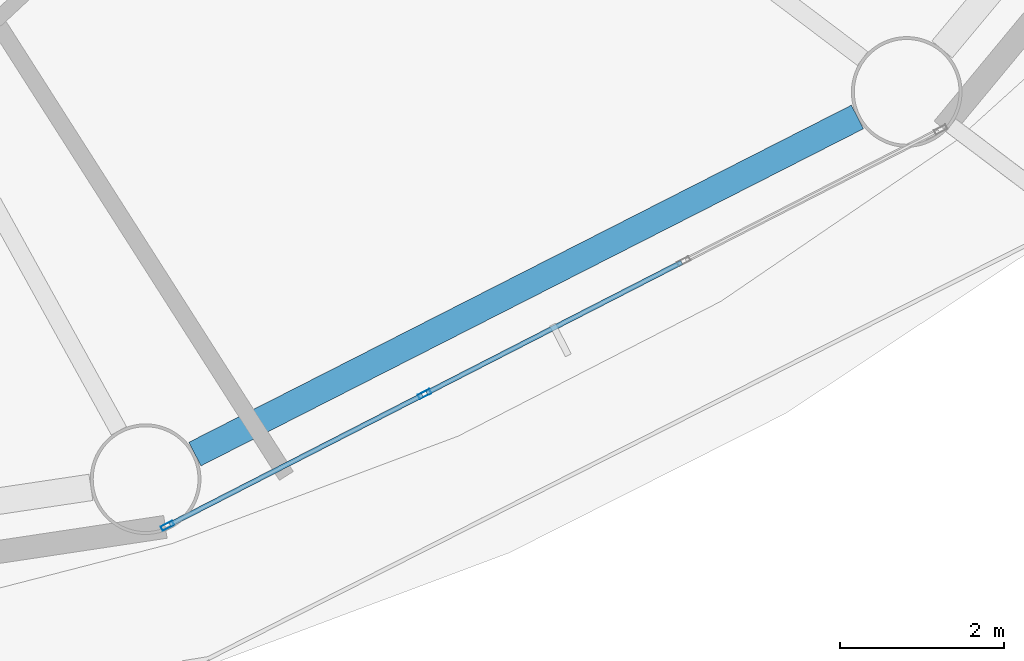
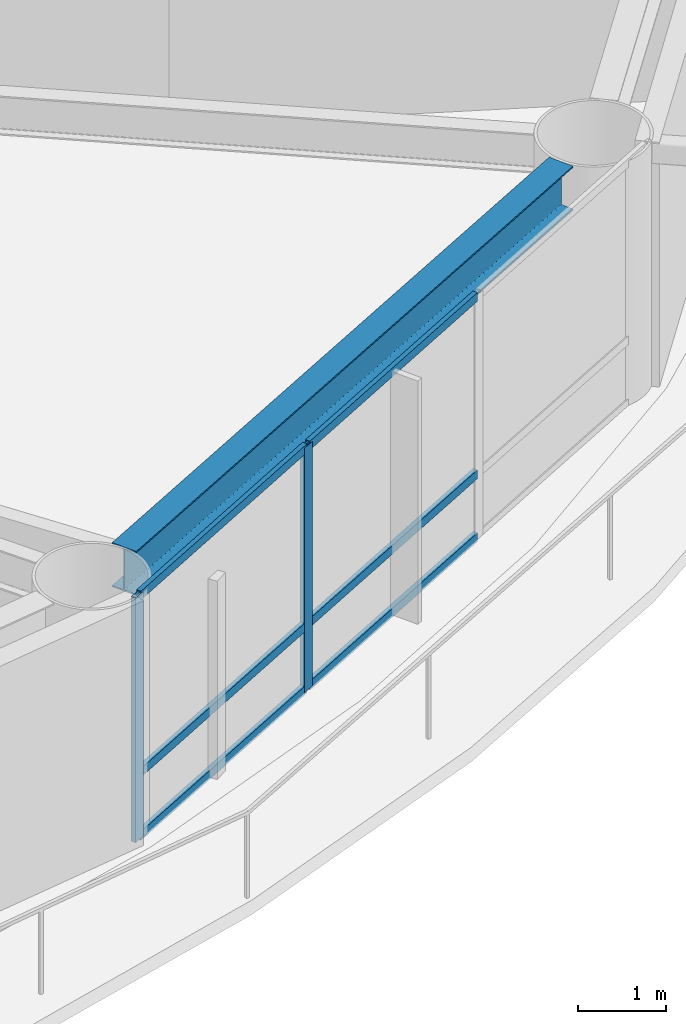
# One storey, part 4 of 24: 8 members, 1 beam, 1 element without a shape of its own.
"""IFC4 building model written with IfcOpenShell, lengths in metres."""

from ifc_helpers import new_model, si_unit, direction, frame, origin, origin_2d, place, context, subcontext, project, spatial, hollow_rectangle, i_section, extrude, material, layer, layer_set, material_profile, profile_set, type_object, element, aggregate, save


model = new_model("IFC4")

# Units and contexts
model_context = context("Model", 3, precision=1e-05, world=origin(), true_north=direction((0.0, 1.0)))
body_context = subcontext(model_context, "Body", "Model", "MODEL_VIEW")
ifc_project = project(units=[si_unit("LENGTHUNIT", "METRE"), si_unit("AREAUNIT", "SQUARE_METRE"), si_unit("VOLUMEUNIT", "CUBIC_METRE"), si_unit("PLANEANGLEUNIT", "RADIAN"), si_unit("MASSUNIT", "GRAM", prefix="KILO")], contexts=[model_context])

# Site, building, storey
site_placement = place(None, origin())
site = spatial("IfcSite", under=ifc_project, at=site_placement, CompositionType="ELEMENT")
building_placement = place(site_placement, origin())
building = spatial("IfcBuilding", under=site, at=building_placement, Name="Sarneth Arch Tower", CompositionType="ELEMENT")
storey_placement = place(building_placement, frame((0.0, 0.0, 120.0)))
storey = spatial("IfcBuildingStorey", under=building, at=storey_placement, Name="L30", CompositionType="ELEMENT", Elevation=120.0)

# Beam
ifc_material_1 = material(Name="Steel S355", Category="steel")
ifc_material_profile_1 = material_profile(ifc_material_1, i_section(OverallWidth=0.323974609375, OverallDepth=0.611083984375, WebThickness=0.0126953125, FlangeThickness=0.01904296875, FilletRadius=0.01904296875, at=origin_2d()), Name="W610x155")
ifc_profile_set_1 = profile_set([ifc_material_profile_1], Name="Steel S355")
beam_type = type_object("IfcBeamType", Name="BM-SPAN-610B", PredefinedType="SPANDREL", material=ifc_profile_set_1)
beam_placement = place(storey_placement, frame((59.7119140625, 22.16552734375, 3.074462890625), z_axis=(0.891255891792, 0.453500755619, 0.0), x_axis=(-0.453500755619, 0.891255891792, 0.0)))
element("IfcBeam", 1, at=beam_placement, inside=storey, type_object=beam_type, Name="L30 Perimeter spandrel beam 14", PredefinedType="SPANDREL", context=body_context, shape_type="SweptSolid", body=[
    extrude(i_section(OverallWidth=0.323974609375, OverallDepth=0.611083984375, WebThickness=0.0126953125, FlangeThickness=0.01904296875, FilletRadius=0.01904296875, at=origin_2d()), origin(), (0.0, 0.0, 1.0), 9.070556640625),
])

# Curtain wall, members
ifc_material_2 = material(Name="Anodised aluminium Type AA25 and solar-control low-e laminated IGU", Category="aluminium")
ifc_layer = layer(ifc_material_2, 0.159912109375)
ifc_layer_set = layer_set([ifc_layer], Name="Anodised aluminium Type AA25 and solar-control low-e laminated IGU")
curtain_wall_type = type_object("IfcCurtainWallType", Name="CW-HOTEL-MID", PredefinedType="NOTDEFINED", material=ifc_layer_set)
curtain_wall_placement = place(storey_placement, origin())
curtain_wall = element("IfcCurtainWall", 2, at=curtain_wall_placement, inside=storey, type_object=curtain_wall_type, Name="L30 Unitised curtain wall facet 14", PredefinedType="NOTDEFINED")
ifc_material_3 = material(Name="Anodised Aluminium 6063-T6", Category="aluminium")
ifc_material_profile_2 = material_profile(ifc_material_3, hollow_rectangle(XDim=0.06005859375, YDim=0.159912109375, WallThickness=0.00390625, at=origin_2d()), Name="AL-MULL-160x60x4")
ifc_profile_set_2 = profile_set([ifc_material_profile_2], Name="Anodised Aluminium 6063-T6")
member_type_1 = type_object("IfcMemberType", Name="CW-MULLION", PredefinedType="MULLION", material=ifc_profile_set_2)
member_1_placement = place(storey_placement, frame((59.3779296875, 21.291015625, 0.0), z_axis=(0.0, 0.0, 1.0), x_axis=(-0.456031365356, 0.889963703649, 0.0)))
member_1 = element("IfcMember", 3, at=member_1_placement, type_object=member_type_1, Name="CW-SYS-4 mullion 1", PredefinedType="MULLION", context=body_context, shape_type="SweptSolid", body=[
    extrude(hollow_rectangle(XDim=0.06005859375, YDim=0.159912109375, WallThickness=0.00390625, at=origin_2d()), origin(), (0.0, 0.0, 1.0), 3.3798828125),
])
member_2_placement = place(storey_placement, frame((62.51416015625, 22.898193359375, 0.0), z_axis=(0.0, 0.0, 1.0), x_axis=(-0.456031365356, 0.889963703649, 0.0)))
member_2 = element("IfcMember", 4, at=member_2_placement, type_object=member_type_1, Name="CW-SYS-4 mullion 2", PredefinedType="MULLION", context=body_context, shape_type="SweptSolid", body=[
    extrude(hollow_rectangle(XDim=0.06005859375, YDim=0.159912109375, WallThickness=0.00390625, at=origin_2d()), origin(), (0.0, 0.0, 1.0), 3.3798828125),
])
ifc_material_4 = material(Name="Anodised Aluminium 6063-T6", Category="aluminium")
ifc_material_profile_3 = material_profile(ifc_material_4, hollow_rectangle(XDim=0.06005859375, YDim=0.1201171875, WallThickness=0.00390625, at=origin_2d()), Name="AL-TRAN-120x60x4")
ifc_profile_set_3 = profile_set([ifc_material_profile_3], Name="Anodised Aluminium 6063-T6")
member_type_2 = type_object("IfcMemberType", Name="CW-TRANSOM", PredefinedType="USERDEFINED", material=ifc_profile_set_3)
member_3_placement = place(storey_placement, frame((59.404541015625, 21.3046875, 0.030029296875), z_axis=(0.889957563627, 0.456043347658, 0.0), x_axis=(-0.456043347658, 0.889957563627, 0.0)))
member_3 = element("IfcMember", 5, at=member_3_placement, type_object=member_type_2, Name="CW-SYS-4 transom 1.1", ObjectType="TRANSOM", PredefinedType="USERDEFINED", context=body_context, shape_type="SweptSolid", body=[
    extrude(hollow_rectangle(XDim=0.06005859375, YDim=0.1201171875, WallThickness=0.00390625, at=origin_2d()), origin(), (0.0, 0.0, 1.0), 3.464111328125),
])
member_4_placement = place(storey_placement, frame((59.404541015625, 21.3046875, 0.89990234375), z_axis=(0.889957563627, 0.456043347658, 0.0), x_axis=(-0.456043347658, 0.889957563627, 0.0)))
member_4 = element("IfcMember", 6, at=member_4_placement, type_object=member_type_2, Name="CW-SYS-4 transom 1.2", ObjectType="TRANSOM", PredefinedType="USERDEFINED", context=body_context, shape_type="SweptSolid", body=[
    extrude(hollow_rectangle(XDim=0.06005859375, YDim=0.1201171875, WallThickness=0.00390625, at=origin_2d()), origin(), (0.0, 0.0, 1.0), 3.464111328125),
])
member_5_placement = place(storey_placement, frame((59.404541015625, 21.3046875, 3.35009765625), z_axis=(0.889957563627, 0.456043347658, 0.0), x_axis=(-0.456043347658, 0.889957563627, 0.0)))
member_5 = element("IfcMember", 7, at=member_5_placement, type_object=member_type_2, Name="CW-SYS-4 transom 1.3", ObjectType="TRANSOM", PredefinedType="USERDEFINED", context=body_context, shape_type="SweptSolid", body=[
    extrude(hollow_rectangle(XDim=0.06005859375, YDim=0.1201171875, WallThickness=0.00390625, at=origin_2d()), origin(), (0.0, 0.0, 1.0), 3.464111328125),
])
member_6_placement = place(storey_placement, frame((62.540771484375, 22.911865234375, 0.030029296875), z_axis=(0.889981813856, 0.455996020823, 0.0), x_axis=(-0.455996020823, 0.889981813856, 0.0)))
member_6 = element("IfcMember", 8, at=member_6_placement, type_object=member_type_2, Name="CW-SYS-4 transom 2.1", ObjectType="TRANSOM", PredefinedType="USERDEFINED", context=body_context, shape_type="SweptSolid", body=[
    extrude(hollow_rectangle(XDim=0.06005859375, YDim=0.1201171875, WallThickness=0.00390625, at=origin_2d()), origin(), (0.0, 0.0, 1.0), 3.494140625),
])
member_7_placement = place(storey_placement, frame((62.540771484375, 22.911865234375, 0.89990234375), z_axis=(0.889981813856, 0.455996020823, 0.0), x_axis=(-0.455996020823, 0.889981813856, 0.0)))
member_7 = element("IfcMember", 9, at=member_7_placement, type_object=member_type_2, Name="CW-SYS-4 transom 2.2", ObjectType="TRANSOM", PredefinedType="USERDEFINED", context=body_context, shape_type="SweptSolid", body=[
    extrude(hollow_rectangle(XDim=0.06005859375, YDim=0.1201171875, WallThickness=0.00390625, at=origin_2d()), origin(), (0.0, 0.0, 1.0), 3.494140625),
])
member_8_placement = place(storey_placement, frame((62.540771484375, 22.911865234375, 3.35009765625), z_axis=(0.889981813856, 0.455996020823, 0.0), x_axis=(-0.455996020823, 0.889981813856, 0.0)))
member_8 = element("IfcMember", 10, at=member_8_placement, type_object=member_type_2, Name="CW-SYS-4 transom 2.3", ObjectType="TRANSOM", PredefinedType="USERDEFINED", context=body_context, shape_type="SweptSolid", body=[
    extrude(hollow_rectangle(XDim=0.06005859375, YDim=0.1201171875, WallThickness=0.00390625, at=origin_2d()), origin(), (0.0, 0.0, 1.0), 3.494140625),
])
aggregate(curtain_wall, [member_1, member_2, member_3, member_4, member_5, member_6, member_7, member_8])

save(model, "model.ifc")
